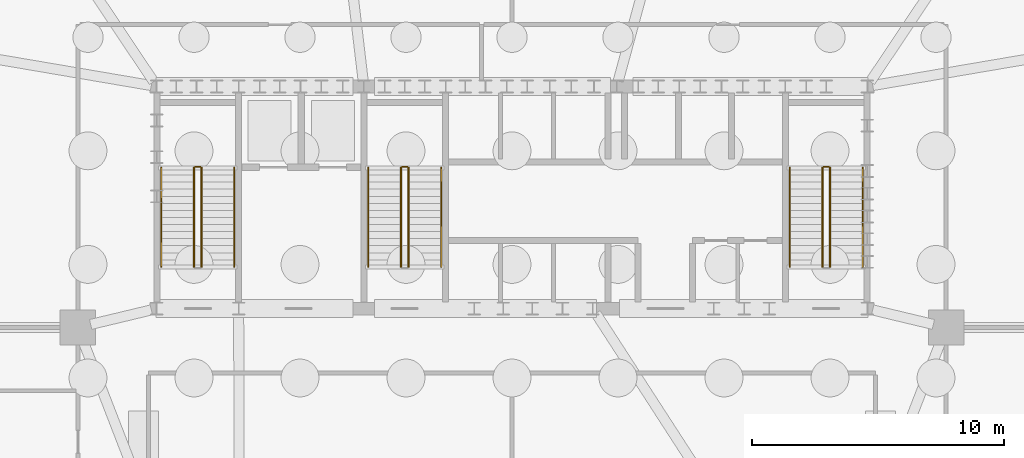
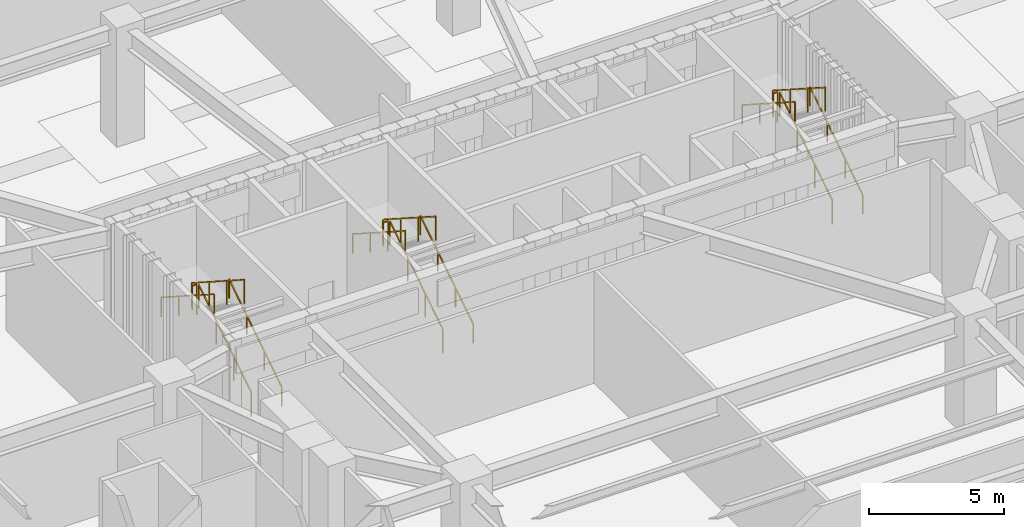
# One storey, part 10 of 11: 15 railings.
"""IFC4 building model written with IfcOpenShell, lengths in metres."""

from ifc_helpers import new_model, si_unit, direction, frame, origin, origin_2d, place, context, subcontext, project, spatial, rectangle, extrude, material, type_object, element, save


model = new_model("IFC4")

# Units and contexts
model_context = context("Model", 3, precision=1e-05, world=origin(), true_north=direction((0.0, 1.0)))
body_context = subcontext(model_context, "Body", "Model", "MODEL_VIEW")
ifc_project = project(units=[si_unit("LENGTHUNIT", "METRE"), si_unit("AREAUNIT", "SQUARE_METRE"), si_unit("VOLUMEUNIT", "CUBIC_METRE"), si_unit("PLANEANGLEUNIT", "RADIAN"), si_unit("MASSUNIT", "GRAM", prefix="KILO")], contexts=[model_context])

# Site, building, storey
site_placement = place(None, origin())
site = spatial("IfcSite", under=ifc_project, at=site_placement, CompositionType="ELEMENT")
building_placement = place(site_placement, origin())
building = spatial("IfcBuilding", under=site, at=building_placement, Name="Haldorwick Loom Tower", CompositionType="ELEMENT")
storey_placement = place(building_placement, frame((0.0, 0.0, -5.39990234375)))
storey = spatial("IfcBuildingStorey", under=building, at=storey_placement, Name="B01", CompositionType="ELEMENT", Elevation=-5.39990234375)

# Railings
ifc_material = material(Name="Steel CSA G40.21 350W", Category="steel")
railing_type_1 = type_object("IfcRailingType", Name="ARC-RLG-GUARD112", PredefinedType="GUARDRAIL", material=ifc_material)
railing_1_placement = place(storey_placement, frame((23.699951171875, 28.39990234375, 0.179931640625)))
element("IfcRailing", 1, at=railing_1_placement, inside=storey, type_object=railing_type_1, Name="B01 ST-01 stair guard 1", PredefinedType="GUARDRAIL", context=body_context, shape_type="SweptSolid", body=[
    extrude(rectangle(XDim=0.048095703125, YDim=0.048095703125, at=origin_2d()), frame((0.0, 0.0, 1.076171875), z_axis=(0.0, 0.841186985886, 0.540744352514), x_axis=(-1.0, 0.0, 0.0)), (0.0, 0.0, 1.0), 4.660400390625),
    extrude(rectangle(XDim=0.0419921875, YDim=0.0419921875, at=origin_2d()), origin(), (0.0, 0.0, 1.0), 1.052001953125),
    extrude(rectangle(XDim=0.0419921875, YDim=0.0419921875, at=origin_2d()), frame((0.0, 1.306640625, 0.840087890625)), (0.0, 0.0, 1.0), 1.052001953125),
    extrude(rectangle(XDim=0.0419921875, YDim=0.0419921875, at=origin_2d()), frame((0.0, 2.613525390625, 1.679931640625)), (0.0, 0.0, 1.0), 1.052001953125),
    extrude(rectangle(XDim=0.0419921875, YDim=0.0419921875, at=origin_2d()), frame((0.0, 3.920166015625, 2.52001953125)), (0.0, 0.0, 1.0), 1.052001953125),
])
railing_2_placement = place(storey_placement, frame((23.64990234375, 32.3701171875, 2.699951171875)))
element("IfcRailing", 2, at=railing_2_placement, inside=storey, type_object=railing_type_1, Name="B01 ST-01 stair guard 2", PredefinedType="GUARDRAIL", context=body_context, shape_type="SweptSolid", body=[
    extrude(rectangle(XDim=0.048095703125, YDim=0.048095703125, at=origin_2d()), frame((0.0, 0.0, 1.076171875), z_axis=(-1.0, 0.0, 0.0), x_axis=(0.0, -1.0, 0.0)), (0.0, 0.0, 1.0), 0.199951171875),
    extrude(rectangle(XDim=0.0419921875, YDim=0.0419921875, at=origin_2d()), origin(), (0.0, 0.0, 1.0), 1.052001953125),
    extrude(rectangle(XDim=0.0419921875, YDim=0.0419921875, at=origin_2d()), frame((-0.199951171875, 0.0, 0.0)), (0.0, 0.0, 1.0), 1.052001953125),
])
railing_3_placement = place(storey_placement, frame((23.39990234375, 32.320068359375, 2.8798828125)))
element("IfcRailing", 3, at=railing_3_placement, inside=storey, type_object=railing_type_1, Name="B01 ST-01 stair guard 3", PredefinedType="GUARDRAIL", context=body_context, shape_type="SweptSolid", body=[
    extrude(rectangle(XDim=0.048095703125, YDim=0.048095703125, at=origin_2d()), frame((0.0, 0.0, 1.076171875), z_axis=(0.0, -0.841186985886, 0.540744352514), x_axis=(1.0, 0.0, 0.0)), (0.0, 0.0, 1.0), 4.660400390625),
    extrude(rectangle(XDim=0.0419921875, YDim=0.0419921875, at=origin_2d()), origin(), (0.0, 0.0, 1.0), 1.052001953125),
    extrude(rectangle(XDim=0.0419921875, YDim=0.0419921875, at=origin_2d()), frame((0.0, -1.306640625, 0.840087890625)), (0.0, 0.0, 1.0), 1.052001953125),
    extrude(rectangle(XDim=0.0419921875, YDim=0.0419921875, at=origin_2d()), frame((0.0, -2.613525390625, 1.679931640625)), (0.0, 0.0, 1.0), 1.052001953125),
    extrude(rectangle(XDim=0.0419921875, YDim=0.0419921875, at=origin_2d()), frame((0.0, -3.920166015625, 2.52001953125)), (0.0, 0.0, 1.0), 1.052001953125),
])
railing_4_placement = place(storey_placement, frame((48.60009765625, 28.39990234375, 0.179931640625)))
element("IfcRailing", 4, at=railing_4_placement, inside=storey, type_object=railing_type_1, Name="B01 ST-02 stair guard 1", PredefinedType="GUARDRAIL", context=body_context, shape_type="SweptSolid", body=[
    extrude(rectangle(XDim=0.048095703125, YDim=0.048095703125, at=origin_2d()), frame((0.0, 0.0, 1.076171875), z_axis=(0.0, 0.841186985886, 0.540744352514), x_axis=(-1.0, 0.0, 0.0)), (0.0, 0.0, 1.0), 4.660400390625),
    extrude(rectangle(XDim=0.0419921875, YDim=0.0419921875, at=origin_2d()), origin(), (0.0, 0.0, 1.0), 1.052001953125),
    extrude(rectangle(XDim=0.0419921875, YDim=0.0419921875, at=origin_2d()), frame((0.0, 1.306640625, 0.840087890625)), (0.0, 0.0, 1.0), 1.052001953125),
    extrude(rectangle(XDim=0.0419921875, YDim=0.0419921875, at=origin_2d()), frame((0.0, 2.613525390625, 1.679931640625)), (0.0, 0.0, 1.0), 1.052001953125),
    extrude(rectangle(XDim=0.0419921875, YDim=0.0419921875, at=origin_2d()), frame((0.0, 3.920166015625, 2.52001953125)), (0.0, 0.0, 1.0), 1.052001953125),
])
railing_5_placement = place(storey_placement, frame((48.550048828125, 32.3701171875, 2.699951171875)))
element("IfcRailing", 5, at=railing_5_placement, inside=storey, type_object=railing_type_1, Name="B01 ST-02 stair guard 2", PredefinedType="GUARDRAIL", context=body_context, shape_type="SweptSolid", body=[
    extrude(rectangle(XDim=0.048095703125, YDim=0.048095703125, at=origin_2d()), frame((0.0, 0.0, 1.076171875), z_axis=(-1.0, 0.0, 0.0), x_axis=(0.0, -1.0, 0.0)), (0.0, 0.0, 1.0), 0.199951171875),
    extrude(rectangle(XDim=0.0419921875, YDim=0.0419921875, at=origin_2d()), origin(), (0.0, 0.0, 1.0), 1.052001953125),
    extrude(rectangle(XDim=0.0419921875, YDim=0.0419921875, at=origin_2d()), frame((-0.199951171875, 0.0, 0.0)), (0.0, 0.0, 1.0), 1.052001953125),
])
railing_6_placement = place(storey_placement, frame((48.300048828125, 32.320068359375, 2.8798828125)))
element("IfcRailing", 6, at=railing_6_placement, inside=storey, type_object=railing_type_1, Name="B01 ST-02 stair guard 3", PredefinedType="GUARDRAIL", context=body_context, shape_type="SweptSolid", body=[
    extrude(rectangle(XDim=0.048095703125, YDim=0.048095703125, at=origin_2d()), frame((0.0, 0.0, 1.076171875), z_axis=(0.0, -0.841186985886, 0.540744352514), x_axis=(1.0, 0.0, 0.0)), (0.0, 0.0, 1.0), 4.660400390625),
    extrude(rectangle(XDim=0.0419921875, YDim=0.0419921875, at=origin_2d()), origin(), (0.0, 0.0, 1.0), 1.052001953125),
    extrude(rectangle(XDim=0.0419921875, YDim=0.0419921875, at=origin_2d()), frame((0.0, -1.306640625, 0.840087890625)), (0.0, 0.0, 1.0), 1.052001953125),
    extrude(rectangle(XDim=0.0419921875, YDim=0.0419921875, at=origin_2d()), frame((0.0, -2.613525390625, 1.679931640625)), (0.0, 0.0, 1.0), 1.052001953125),
    extrude(rectangle(XDim=0.0419921875, YDim=0.0419921875, at=origin_2d()), frame((0.0, -3.920166015625, 2.52001953125)), (0.0, 0.0, 1.0), 1.052001953125),
])
railing_7_placement = place(storey_placement, frame((31.89990234375, 28.39990234375, 0.179931640625)))
element("IfcRailing", 7, at=railing_7_placement, inside=storey, type_object=railing_type_1, Name="B01 ST-03 stair guard 1", PredefinedType="GUARDRAIL", context=body_context, shape_type="SweptSolid", body=[
    extrude(rectangle(XDim=0.048095703125, YDim=0.048095703125, at=origin_2d()), frame((0.0, 0.0, 1.076171875), z_axis=(0.0, 0.841186985886, 0.540744352514), x_axis=(-1.0, 0.0, 0.0)), (0.0, 0.0, 1.0), 4.660400390625),
    extrude(rectangle(XDim=0.0419921875, YDim=0.0419921875, at=origin_2d()), origin(), (0.0, 0.0, 1.0), 1.052001953125),
    extrude(rectangle(XDim=0.0419921875, YDim=0.0419921875, at=origin_2d()), frame((0.0, 1.306640625, 0.840087890625)), (0.0, 0.0, 1.0), 1.052001953125),
    extrude(rectangle(XDim=0.0419921875, YDim=0.0419921875, at=origin_2d()), frame((0.0, 2.613525390625, 1.679931640625)), (0.0, 0.0, 1.0), 1.052001953125),
    extrude(rectangle(XDim=0.0419921875, YDim=0.0419921875, at=origin_2d()), frame((0.0, 3.920166015625, 2.52001953125)), (0.0, 0.0, 1.0), 1.052001953125),
])
railing_8_placement = place(storey_placement, frame((31.85009765625, 32.3701171875, 2.699951171875)))
element("IfcRailing", 8, at=railing_8_placement, inside=storey, type_object=railing_type_1, Name="B01 ST-03 stair guard 2", PredefinedType="GUARDRAIL", context=body_context, shape_type="SweptSolid", body=[
    extrude(rectangle(XDim=0.048095703125, YDim=0.048095703125, at=origin_2d()), frame((0.0, 0.0, 1.076171875), z_axis=(-1.0, 0.0, 0.0), x_axis=(0.0, -1.0, 0.0)), (0.0, 0.0, 1.0), 0.2001953125),
    extrude(rectangle(XDim=0.0419921875, YDim=0.0419921875, at=origin_2d()), origin(), (0.0, 0.0, 1.0), 1.052001953125),
    extrude(rectangle(XDim=0.0419921875, YDim=0.0419921875, at=origin_2d()), frame((-0.2001953125, 0.0, 0.0)), (0.0, 0.0, 1.0), 1.052001953125),
])
railing_9_placement = place(storey_placement, frame((31.60009765625, 32.320068359375, 2.8798828125)))
element("IfcRailing", 9, at=railing_9_placement, inside=storey, type_object=railing_type_1, Name="B01 ST-03 stair guard 3", PredefinedType="GUARDRAIL", context=body_context, shape_type="SweptSolid", body=[
    extrude(rectangle(XDim=0.048095703125, YDim=0.048095703125, at=origin_2d()), frame((0.0, 0.0, 1.076171875), z_axis=(0.0, -0.841186985886, 0.540744352514), x_axis=(1.0, 0.0, 0.0)), (0.0, 0.0, 1.0), 4.660400390625),
    extrude(rectangle(XDim=0.0419921875, YDim=0.0419921875, at=origin_2d()), origin(), (0.0, 0.0, 1.0), 1.052001953125),
    extrude(rectangle(XDim=0.0419921875, YDim=0.0419921875, at=origin_2d()), frame((0.0, -1.306640625, 0.840087890625)), (0.0, 0.0, 1.0), 1.052001953125),
    extrude(rectangle(XDim=0.0419921875, YDim=0.0419921875, at=origin_2d()), frame((0.0, -2.613525390625, 1.679931640625)), (0.0, 0.0, 1.0), 1.052001953125),
    extrude(rectangle(XDim=0.0419921875, YDim=0.0419921875, at=origin_2d()), frame((0.0, -3.920166015625, 2.52001953125)), (0.0, 0.0, 1.0), 1.052001953125),
])
railing_type_2 = type_object("IfcRailingType", Name="ARC-RLG-HAND092", PredefinedType="HANDRAIL", material=ifc_material)
railing_10_placement = place(storey_placement, frame((25.0, 28.39990234375, 0.179931640625)))
element("IfcRailing", 10, at=railing_10_placement, inside=storey, type_object=railing_type_2, Name="B01 ST-01 stair handrail 1", PredefinedType="HANDRAIL", context=body_context, shape_type="SweptSolid", body=[
    extrude(rectangle(XDim=0.048095703125, YDim=0.048095703125, at=origin_2d()), frame((0.0, 0.0, 0.8759765625), z_axis=(0.0, 0.841186985886, 0.540744352514), x_axis=(-1.0, 0.0, 0.0)), (0.0, 0.0, 1.0), 4.660400390625),
    extrude(rectangle(XDim=0.0419921875, YDim=0.0419921875, at=origin_2d()), origin(), (0.0, 0.0, 1.0), 0.851806640625),
    extrude(rectangle(XDim=0.0419921875, YDim=0.0419921875, at=origin_2d()), frame((0.0, 1.306640625, 0.840087890625)), (0.0, 0.0, 1.0), 0.851806640625),
    extrude(rectangle(XDim=0.0419921875, YDim=0.0419921875, at=origin_2d()), frame((0.0, 2.613525390625, 1.679931640625)), (0.0, 0.0, 1.0), 0.851806640625),
    extrude(rectangle(XDim=0.0419921875, YDim=0.0419921875, at=origin_2d()), frame((0.0, 3.920166015625, 2.52001953125)), (0.0, 0.0, 1.0), 0.851806640625),
])
railing_11_placement = place(storey_placement, frame((22.10009765625, 32.320068359375, 2.8798828125)))
element("IfcRailing", 11, at=railing_11_placement, inside=storey, type_object=railing_type_2, Name="B01 ST-01 stair handrail 2", PredefinedType="HANDRAIL", context=body_context, shape_type="SweptSolid", body=[
    extrude(rectangle(XDim=0.048095703125, YDim=0.048095703125, at=origin_2d()), frame((0.0, 0.0, 0.8759765625), z_axis=(0.0, -0.841186985886, 0.540744352514), x_axis=(1.0, 0.0, 0.0)), (0.0, 0.0, 1.0), 4.660400390625),
    extrude(rectangle(XDim=0.0419921875, YDim=0.0419921875, at=origin_2d()), origin(), (0.0, 0.0, 1.0), 0.851806640625),
    extrude(rectangle(XDim=0.0419921875, YDim=0.0419921875, at=origin_2d()), frame((0.0, -1.306640625, 0.840087890625)), (0.0, 0.0, 1.0), 0.851806640625),
    extrude(rectangle(XDim=0.0419921875, YDim=0.0419921875, at=origin_2d()), frame((0.0, -2.613525390625, 1.679931640625)), (0.0, 0.0, 1.0), 0.851806640625),
    extrude(rectangle(XDim=0.0419921875, YDim=0.0419921875, at=origin_2d()), frame((0.0, -3.920166015625, 2.52001953125)), (0.0, 0.0, 1.0), 0.851806640625),
])
railing_12_placement = place(storey_placement, frame((49.89990234375, 28.39990234375, 0.179931640625)))
element("IfcRailing", 12, at=railing_12_placement, inside=storey, type_object=railing_type_2, Name="B01 ST-02 stair handrail 1", PredefinedType="HANDRAIL", context=body_context, shape_type="SweptSolid", body=[
    extrude(rectangle(XDim=0.048095703125, YDim=0.048095703125, at=origin_2d()), frame((0.0, 0.0, 0.8759765625), z_axis=(0.0, 0.841186985886, 0.540744352514), x_axis=(-1.0, 0.0, 0.0)), (0.0, 0.0, 1.0), 4.660400390625),
    extrude(rectangle(XDim=0.0419921875, YDim=0.0419921875, at=origin_2d()), origin(), (0.0, 0.0, 1.0), 0.851806640625),
    extrude(rectangle(XDim=0.0419921875, YDim=0.0419921875, at=origin_2d()), frame((0.0, 1.306640625, 0.840087890625)), (0.0, 0.0, 1.0), 0.851806640625),
    extrude(rectangle(XDim=0.0419921875, YDim=0.0419921875, at=origin_2d()), frame((0.0, 2.613525390625, 1.679931640625)), (0.0, 0.0, 1.0), 0.851806640625),
    extrude(rectangle(XDim=0.0419921875, YDim=0.0419921875, at=origin_2d()), frame((0.0, 3.920166015625, 2.52001953125)), (0.0, 0.0, 1.0), 0.851806640625),
])
railing_13_placement = place(storey_placement, frame((47.0, 32.320068359375, 2.8798828125)))
element("IfcRailing", 13, at=railing_13_placement, inside=storey, type_object=railing_type_2, Name="B01 ST-02 stair handrail 2", PredefinedType="HANDRAIL", context=body_context, shape_type="SweptSolid", body=[
    extrude(rectangle(XDim=0.048095703125, YDim=0.048095703125, at=origin_2d()), frame((0.0, 0.0, 0.8759765625), z_axis=(0.0, -0.841186985886, 0.540744352514), x_axis=(1.0, 0.0, 0.0)), (0.0, 0.0, 1.0), 4.660400390625),
    extrude(rectangle(XDim=0.0419921875, YDim=0.0419921875, at=origin_2d()), origin(), (0.0, 0.0, 1.0), 0.851806640625),
    extrude(rectangle(XDim=0.0419921875, YDim=0.0419921875, at=origin_2d()), frame((0.0, -1.306640625, 0.840087890625)), (0.0, 0.0, 1.0), 0.851806640625),
    extrude(rectangle(XDim=0.0419921875, YDim=0.0419921875, at=origin_2d()), frame((0.0, -2.613525390625, 1.679931640625)), (0.0, 0.0, 1.0), 0.851806640625),
    extrude(rectangle(XDim=0.0419921875, YDim=0.0419921875, at=origin_2d()), frame((0.0, -3.920166015625, 2.52001953125)), (0.0, 0.0, 1.0), 0.851806640625),
])
railing_14_placement = place(storey_placement, frame((33.199951171875, 28.39990234375, 0.179931640625)))
element("IfcRailing", 14, at=railing_14_placement, inside=storey, type_object=railing_type_2, Name="B01 ST-03 stair handrail 1", PredefinedType="HANDRAIL", context=body_context, shape_type="SweptSolid", body=[
    extrude(rectangle(XDim=0.048095703125, YDim=0.048095703125, at=origin_2d()), frame((0.0, 0.0, 0.8759765625), z_axis=(0.0, 0.841186985886, 0.540744352514), x_axis=(-1.0, 0.0, 0.0)), (0.0, 0.0, 1.0), 4.660400390625),
    extrude(rectangle(XDim=0.0419921875, YDim=0.0419921875, at=origin_2d()), origin(), (0.0, 0.0, 1.0), 0.851806640625),
    extrude(rectangle(XDim=0.0419921875, YDim=0.0419921875, at=origin_2d()), frame((0.0, 1.306640625, 0.840087890625)), (0.0, 0.0, 1.0), 0.851806640625),
    extrude(rectangle(XDim=0.0419921875, YDim=0.0419921875, at=origin_2d()), frame((0.0, 2.613525390625, 1.679931640625)), (0.0, 0.0, 1.0), 0.851806640625),
    extrude(rectangle(XDim=0.0419921875, YDim=0.0419921875, at=origin_2d()), frame((0.0, 3.920166015625, 2.52001953125)), (0.0, 0.0, 1.0), 0.851806640625),
])
railing_15_placement = place(storey_placement, frame((30.300048828125, 32.320068359375, 2.8798828125)))
element("IfcRailing", 15, at=railing_15_placement, inside=storey, type_object=railing_type_2, Name="B01 ST-03 stair handrail 2", PredefinedType="HANDRAIL", context=body_context, shape_type="SweptSolid", body=[
    extrude(rectangle(XDim=0.048095703125, YDim=0.048095703125, at=origin_2d()), frame((0.0, 0.0, 0.8759765625), z_axis=(0.0, -0.841186985886, 0.540744352514), x_axis=(1.0, 0.0, 0.0)), (0.0, 0.0, 1.0), 4.660400390625),
    extrude(rectangle(XDim=0.0419921875, YDim=0.0419921875, at=origin_2d()), origin(), (0.0, 0.0, 1.0), 0.851806640625),
    extrude(rectangle(XDim=0.0419921875, YDim=0.0419921875, at=origin_2d()), frame((0.0, -1.306640625, 0.840087890625)), (0.0, 0.0, 1.0), 0.851806640625),
    extrude(rectangle(XDim=0.0419921875, YDim=0.0419921875, at=origin_2d()), frame((0.0, -2.613525390625, 1.679931640625)), (0.0, 0.0, 1.0), 0.851806640625),
    extrude(rectangle(XDim=0.0419921875, YDim=0.0419921875, at=origin_2d()), frame((0.0, -3.920166015625, 2.52001953125)), (0.0, 0.0, 1.0), 0.851806640625),
])

save(model, "model.ifc")
